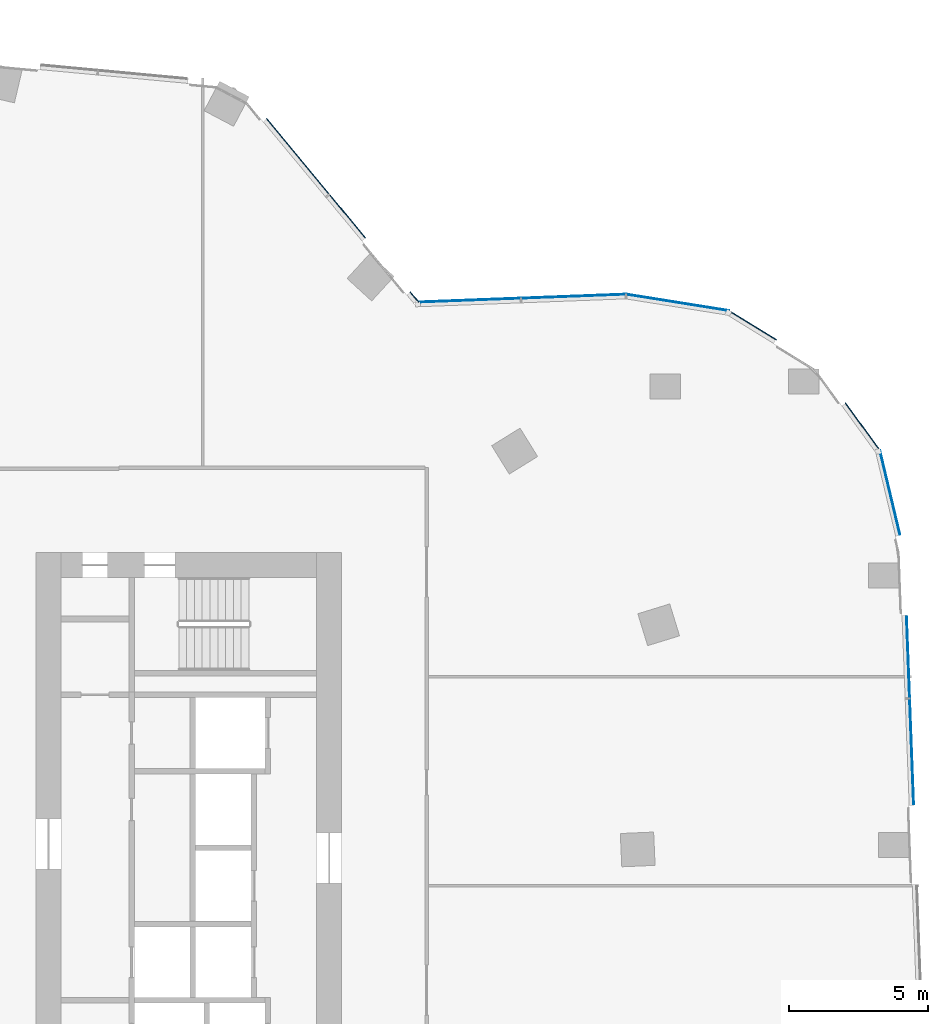
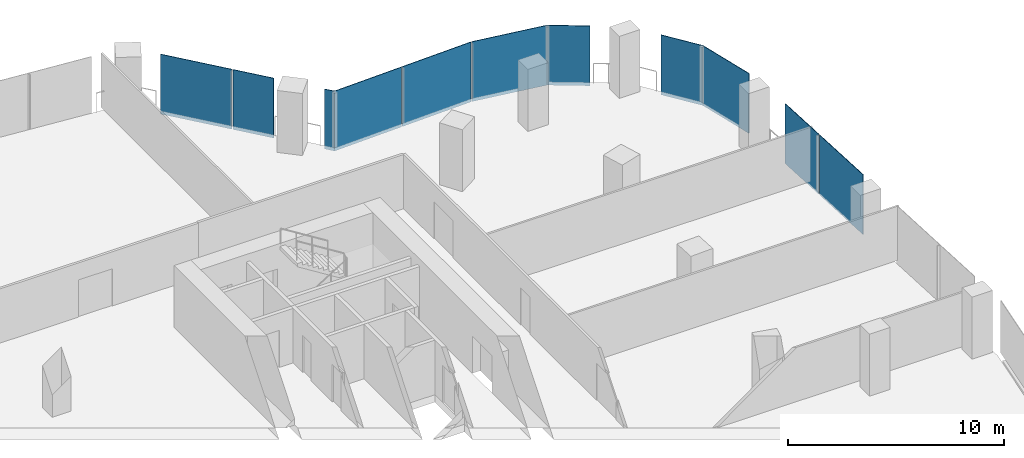
# One storey, part 16 of 28: 11 plates, 7 elements without a shape of their own.
"""IFC4 building model written with IfcOpenShell, lengths in metres."""

from ifc_helpers import new_model, si_unit, direction, frame, origin, origin_2d, place, context, subcontext, project, spatial, rectangle, extrude, material, layer, layer_set, type_object, element, aggregate, save


model = new_model("IFC4")

# Units and contexts
model_context = context("Model", 3, precision=1e-05, world=origin(), true_north=direction((0.0, 1.0)))
body_context = subcontext(model_context, "Body", "Model", "MODEL_VIEW")
ifc_project = project(units=[si_unit("LENGTHUNIT", "METRE"), si_unit("AREAUNIT", "SQUARE_METRE"), si_unit("VOLUMEUNIT", "CUBIC_METRE"), si_unit("PLANEANGLEUNIT", "RADIAN"), si_unit("MASSUNIT", "GRAM", prefix="KILO")], contexts=[model_context])

# Site, building, storey
site_placement = place(None, origin())
site = spatial("IfcSite", under=ifc_project, at=site_placement, CompositionType="ELEMENT")
building_placement = place(site_placement, origin())
building = spatial("IfcBuilding", under=site, at=building_placement, Name="Orlundy Tower", CompositionType="ELEMENT")
storey_placement = place(building_placement, frame((0.0, 0.0, 167.10009765625)))
storey = spatial("IfcBuildingStorey", under=building, at=storey_placement, Name="L43", CompositionType="ELEMENT", Elevation=167.10009765625)

# Curtain wall, plates
ifc_material_1 = material(Name="Aluminium bronze anodised", Category="aluminium")
curtain_wall_type = type_object("IfcCurtainWallType", Name="CW1 wall", PredefinedType="NOTDEFINED", material=ifc_material_1)
curtain_wall_1_placement = place(storey_placement, origin())
curtain_wall_1 = element("IfcCurtainWall", 1, at=curtain_wall_1_placement, inside=storey, type_object=curtain_wall_type, Name="CW1 run 05", PredefinedType="NOTDEFINED")
ifc_material_2 = material(Name="Tinted glass", Category="glass")
ifc_layer = layer(ifc_material_2, 0.031982421875)
ifc_layer_set = layer_set([ifc_layer], Name="CW1 glass panel 32")
plate_type = type_object("IfcPlateType", Name="CW1 glass panel 32", PredefinedType="CURTAIN_PANEL", material=ifc_layer_set)
plate_1_placement = place(storey_placement, frame((17.416259765625, 26.252197265625, -0.300048828125), z_axis=(0.0, 0.0, 1.0), x_axis=(0.638299162368, -0.769788399055, 0.0)))
plate_1 = element("IfcPlate", 2, at=plate_1_placement, type_object=plate_type, Name="CW1 panel", PredefinedType="CURTAIN_PANEL", context=body_context, shape_type="SweptSolid", body=[
    extrude(rectangle(XDim=3.515869140625, YDim=0.031982421875, at=origin_2d()), origin(), (0.0, 0.0, 1.0), 3.3798828125),
])
plate_2_placement = place(storey_placement, frame((19.211181640625, 24.08740234375, -0.300048828125), z_axis=(0.0, 0.0, 1.0), x_axis=(0.638299162368, -0.769788399055, 0.0)))
plate_2 = element("IfcPlate", 3, at=plate_2_placement, type_object=plate_type, Name="CW1 panel", PredefinedType="CURTAIN_PANEL", context=body_context, shape_type="SweptSolid", body=[
    extrude(rectangle(XDim=2.008544921875, YDim=0.031982421875, at=origin_2d()), origin(), (0.0, 0.0, 1.0), 3.3798828125),
])
plate_3_placement = place(storey_placement, frame((21.616455078125, 21.186767578125, -0.300048828125), z_axis=(0.0, 0.0, 1.0), x_axis=(0.638299162368, -0.769788399055, 0.0)))
plate_3 = element("IfcPlate", 4, at=plate_3_placement, type_object=plate_type, Name="CW1 panel", PredefinedType="CURTAIN_PANEL", context=body_context, shape_type="SweptSolid", body=[
    extrude(rectangle(XDim=0.47998046875, YDim=0.031982421875, at=origin_2d()), origin(), (0.0, 0.0, 1.0), 3.3798828125),
])
aggregate(curtain_wall_1, [plate_1, plate_2, plate_3])

curtain_wall_2_placement = place(storey_placement, origin())
curtain_wall_2 = element("IfcCurtainWall", 5, at=curtain_wall_2_placement, inside=storey, type_object=curtain_wall_type, Name="CW1 run 06", PredefinedType="NOTDEFINED")
plate_4_placement = place(storey_placement, frame((23.598388671875, 21.0712890625, -0.300048828125), z_axis=(0.0, 0.0, 1.0), x_axis=(0.99928394031, 0.037836578056, 0.0)))
plate_4 = element("IfcPlate", 6, at=plate_4_placement, type_object=plate_type, Name="CW1 panel", PredefinedType="CURTAIN_PANEL", context=body_context, shape_type="SweptSolid", body=[
    extrude(rectangle(XDim=3.660400390625, YDim=0.031982421875, at=origin_2d()), origin(), (0.0, 0.0, 1.0), 3.3798828125),
])
plate_5_placement = place(storey_placement, frame((27.342041015625, 21.212890625, -0.300048828125), z_axis=(0.0, 0.0, 1.0), x_axis=(0.99928394031, 0.037836578056, 0.0)))
plate_5 = element("IfcPlate", 7, at=plate_5_placement, type_object=plate_type, Name="CW1 panel", PredefinedType="CURTAIN_PANEL", context=body_context, shape_type="SweptSolid", body=[
    extrude(rectangle(XDim=3.732177734375, YDim=0.031982421875, at=origin_2d()), origin(), (0.0, 0.0, 1.0), 3.3798828125),
])
aggregate(curtain_wall_2, [plate_4, plate_5])

# Curtain wall, plate
curtain_wall_3_placement = place(storey_placement, origin())
curtain_wall_3 = element("IfcCurtainWall", 8, at=curtain_wall_3_placement, inside=storey, type_object=curtain_wall_type, Name="CW1 run 07", PredefinedType="NOTDEFINED")
plate_6_placement = place(storey_placement, frame((31.098876953125, 20.986083984375, -0.300048828125), z_axis=(0.0, 0.0, 1.0), x_axis=(0.987472591866, -0.157790621756, 0.0)))
plate_6 = element("IfcPlate", 9, at=plate_6_placement, type_object=plate_type, Name="CW1 panel", PredefinedType="CURTAIN_PANEL", context=body_context, shape_type="SweptSolid", body=[
    extrude(rectangle(XDim=3.731201171875, YDim=0.031982421875, at=origin_2d()), origin(), (0.0, 0.0, 1.0), 3.3798828125),
])
aggregate(curtain_wall_3, [plate_6])

curtain_wall_4_placement = place(storey_placement, origin())
curtain_wall_4 = element("IfcCurtainWall", 10, at=curtain_wall_4_placement, inside=storey, type_object=curtain_wall_type, Name="CW1 run 08", PredefinedType="NOTDEFINED")
plate_7_placement = place(storey_placement, frame((33.79296875, 20.167724609375, -0.300048828125), z_axis=(0.0, 0.0, 1.0), x_axis=(0.85175093776, -0.523946886645, 0.0)))
plate_7 = element("IfcPlate", 11, at=plate_7_placement, type_object=plate_type, Name="CW1 panel", PredefinedType="CURTAIN_PANEL", context=body_context, shape_type="SweptSolid", body=[
    extrude(rectangle(XDim=2.0, YDim=0.031982421875, at=origin_2d()), origin(), (0.0, 0.0, 1.0), 3.3798828125),
])
aggregate(curtain_wall_4, [plate_7])

curtain_wall_5_placement = place(storey_placement, origin())
curtain_wall_5 = element("IfcCurtainWall", 12, at=curtain_wall_5_placement, inside=storey, type_object=curtain_wall_type, Name="CW1 run 09", PredefinedType="NOTDEFINED")
plate_8_placement = place(storey_placement, frame((37.744873046875, 16.519287109375, -0.300048828125), z_axis=(0.0, 0.0, 1.0), x_axis=(0.586711161355, -0.80979627879, 0.0)))
plate_8 = element("IfcPlate", 13, at=plate_8_placement, type_object=plate_type, Name="CW1 panel", PredefinedType="CURTAIN_PANEL", context=body_context, shape_type="SweptSolid", body=[
    extrude(rectangle(XDim=2.120361328125, YDim=0.031982421875, at=origin_2d()), origin(), (0.0, 0.0, 1.0), 3.3798828125),
])
aggregate(curtain_wall_5, [plate_8])

curtain_wall_6_placement = place(storey_placement, origin())
curtain_wall_6 = element("IfcCurtainWall", 14, at=curtain_wall_6_placement, inside=storey, type_object=curtain_wall_type, Name="CW1 run 010", PredefinedType="NOTDEFINED")
plate_9_placement = place(storey_placement, frame((38.72705078125, 14.151611328125, -0.300048828125), z_axis=(0.0, 0.0, 1.0), x_axis=(0.23204608122, -0.972704793959, 0.0)))
plate_9 = element("IfcPlate", 15, at=plate_9_placement, type_object=plate_type, Name="CW1 panel", PredefinedType="CURTAIN_PANEL", context=body_context, shape_type="SweptSolid", body=[
    extrude(rectangle(XDim=3.10302734375, YDim=0.031982421875, at=origin_2d()), origin(), (0.0, 0.0, 1.0), 3.3798828125),
])
aggregate(curtain_wall_6, [plate_9])

# Curtain wall, plates
curtain_wall_7_placement = place(storey_placement, origin())
curtain_wall_7 = element("IfcCurtainWall", 16, at=curtain_wall_7_placement, inside=storey, type_object=curtain_wall_type, Name="CW1 run 011", PredefinedType="NOTDEFINED")
plate_10_placement = place(storey_placement, frame((39.38134765625, 8.228271484375, -0.300048828125), z_axis=(0.0, 0.0, 1.0), x_axis=(0.03780949547, -0.999284965389, 0.0)))
plate_10 = element("IfcPlate", 17, at=plate_10_placement, type_object=plate_type, Name="CW1 panel", PredefinedType="CURTAIN_PANEL", context=body_context, shape_type="SweptSolid", body=[
    extrude(rectangle(XDim=2.916748046875, YDim=0.031982421875, at=origin_2d()), origin(), (0.0, 0.0, 1.0), 3.3798828125),
])
plate_11_placement = place(storey_placement, frame((39.509765625, 4.831298828125, -0.300048828125), z_axis=(0.0, 0.0, 1.0), x_axis=(0.03780949547, -0.999284965389, 0.0)))
plate_11 = element("IfcPlate", 18, at=plate_11_placement, type_object=plate_type, Name="CW1 panel", PredefinedType="CURTAIN_PANEL", context=body_context, shape_type="SweptSolid", body=[
    extrude(rectangle(XDim=3.781982421875, YDim=0.031982421875, at=origin_2d()), origin(), (0.0, 0.0, 1.0), 3.3798828125),
])
aggregate(curtain_wall_7, [plate_10, plate_11])

save(model, "model.ifc")
